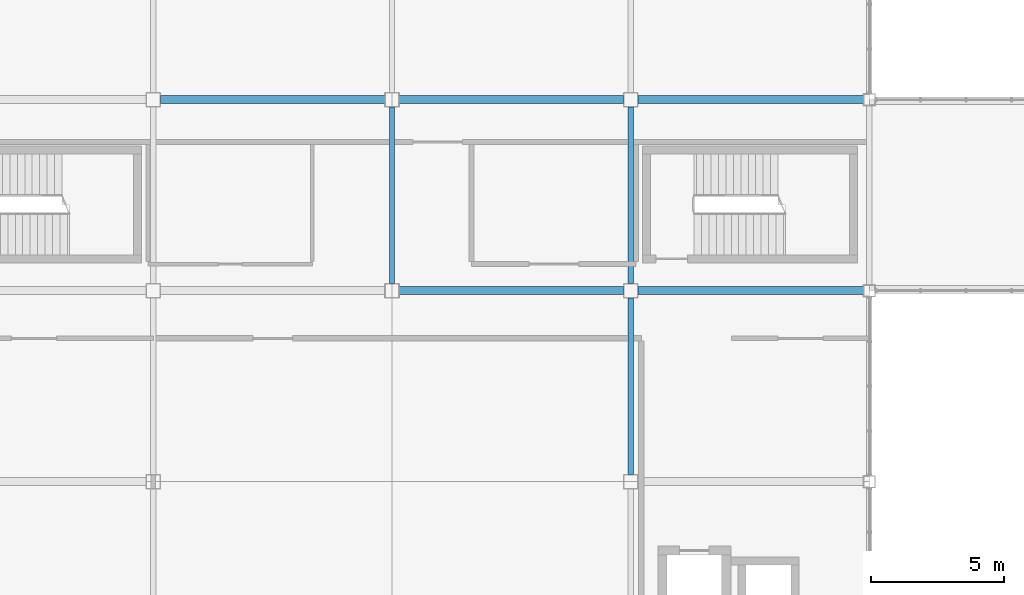
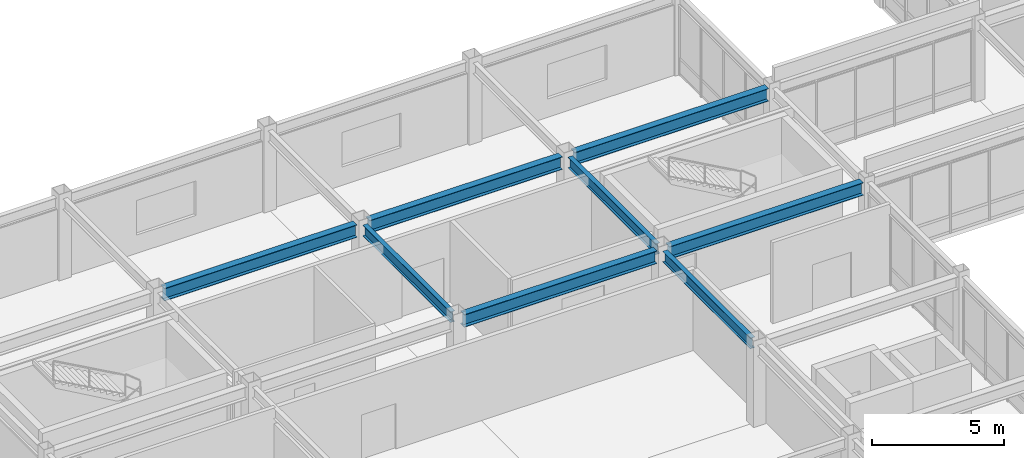
# One storey, part 16 of 122: 8 beams.
"""IFC4 building model written with IfcOpenShell, lengths in metres."""

from ifc_helpers import new_model, si_unit, direction, frame, origin, origin_2d, place, context, subcontext, project, spatial, i_section, extrude, material, material_profile, profile_set, type_object, element, save


model = new_model("IFC4")

# Units and contexts
model_context = context("Model", 3, precision=1e-05, world=origin(), true_north=direction((0.0, 1.0)))
body_context = subcontext(model_context, "Body", "Model", "MODEL_VIEW")
ifc_project = project(units=[si_unit("LENGTHUNIT", "METRE"), si_unit("AREAUNIT", "SQUARE_METRE"), si_unit("VOLUMEUNIT", "CUBIC_METRE"), si_unit("PLANEANGLEUNIT", "RADIAN"), si_unit("MASSUNIT", "GRAM", prefix="KILO")], contexts=[model_context])

# Site, building, storey
site_placement = place(None, origin())
site = spatial("IfcSite", under=ifc_project, at=site_placement, CompositionType="ELEMENT")
building_placement = place(site_placement, origin())
building = spatial("IfcBuilding", under=site, at=building_placement, Name="Kazanami Central Library", CompositionType="ELEMENT")
storey_placement = place(building_placement, frame((0.0, 0.0, 4.800048828125)))
storey = spatial("IfcBuildingStorey", under=building, at=storey_placement, Name="L02", CompositionType="ELEMENT", Elevation=4.800048828125)

# Beams
ifc_material = material(Name="Steel SN490B (325 MPa)", Category="steel")
ifc_material_profile_1 = material_profile(ifc_material, i_section(OverallWidth=0.300048828125, OverallDepth=0.587890625, WebThickness=0.011962890625, FlangeThickness=0.02001953125, at=origin_2d()), Name="H-588x300x12x20")
ifc_profile_set_1 = profile_set([ifc_material_profile_1], Name="Steel SN490B (325 MPa)")
beam_type_1 = type_object("IfcBeamType", Name="BM-G-X2", PredefinedType="BEAM", material=ifc_profile_set_1)
beam_1_placement = place(storey_placement, frame((18.27294921875, 21.60009765625, 3.4609375), z_axis=(1.0, 0.0, 0.0), x_axis=(0.0, 1.0, 0.0)))
element("IfcBeam", 1, at=beam_1_placement, inside=storey, type_object=beam_type_1, Name="Girder G-X2 L02 D/3-4", PredefinedType="BEAM", context=body_context, shape_type="SweptSolid", body=[
    extrude(i_section(OverallWidth=0.300048828125, OverallDepth=0.587890625, WebThickness=0.011962890625, FlangeThickness=0.02001953125, at=origin_2d()), origin(), (0.0, 0.0, 1.0), 8.4541015625),
])
beam_2_placement = place(storey_placement, frame((27.27294921875, 21.60009765625, 3.4609375), z_axis=(1.0, 0.0, 0.0), x_axis=(0.0, 1.0, 0.0)))
element("IfcBeam", 2, at=beam_2_placement, inside=storey, type_object=beam_type_1, Name="Girder G-X2 L02 D/4-5", PredefinedType="BEAM", context=body_context, shape_type="SweptSolid", body=[
    extrude(i_section(OverallWidth=0.300048828125, OverallDepth=0.587890625, WebThickness=0.011962890625, FlangeThickness=0.02001953125, at=origin_2d()), origin(), (0.0, 0.0, 1.0), 8.504150390625),
])
for number, where, z_axis, x_axis, name in (
    (3, (9.27294921875, 28.800048828125, 3.4609375), (1.0, 0.0, 0.0), (0.0, 1.0, 0.0), "Girder G-X2 L02 E/2-3"),
    (4, (18.27294921875, 28.800048828125, 3.4609375), (1.0, 0.0, 0.0), (0.0, 1.0, 0.0), "Girder G-X2 L02 E/3-4"),
):
    element("IfcBeam", number, at=place(storey_placement, frame(where, z_axis=z_axis, x_axis=x_axis)), inside=storey, type_object=beam_type_1, Name=name, PredefinedType="BEAM", context=body_context, shape_type="SweptSolid", body=[
        extrude(i_section(OverallWidth=0.300048828125, OverallDepth=0.587890625, WebThickness=0.011962890625, FlangeThickness=0.02001953125, at=origin_2d()), origin(), (0.0, 0.0, 1.0), 8.4541015625),
    ])
beam_3_placement = place(storey_placement, frame((27.27294921875, 28.800048828125, 3.4609375), z_axis=(1.0, 0.0, 0.0), x_axis=(0.0, 1.0, 0.0)))
element("IfcBeam", 5, at=beam_3_placement, inside=storey, type_object=beam_type_1, Name="Girder G-X2 L02 E/4-5", PredefinedType="BEAM", context=body_context, shape_type="SweptSolid", body=[
    extrude(i_section(OverallWidth=0.300048828125, OverallDepth=0.587890625, WebThickness=0.011962890625, FlangeThickness=0.02001953125, at=origin_2d()), origin(), (0.0, 0.0, 1.0), 8.504150390625),
])
ifc_material_profile_2 = material_profile(ifc_material, i_section(OverallWidth=0.199951171875, OverallDepth=0.5, WebThickness=0.010009765625, FlangeThickness=0.01611328125, at=origin_2d()), Name="H-500x200x10x16")
ifc_profile_set_2 = profile_set([ifc_material_profile_2], Name="Steel SN490B (325 MPa)")
beam_type_2 = type_object("IfcBeamType", Name="BM-G-Y2", PredefinedType="BEAM", material=ifc_profile_set_2)
for number, where, z_axis, x_axis, name in (
    (6, (18.0, 21.873046875, 3.5048828125), (0.0, 1.0, 0.0), (-1.0, 0.0, 0.0), "Girder G-Y2 L02 3/D-E"),
    (7, (27.0, 21.873046875, 3.5048828125), (0.0, 1.0, 0.0), (-1.0, 0.0, 0.0), "Girder G-Y2 L02 4/D-E"),
):
    element("IfcBeam", number, at=place(storey_placement, frame(where, z_axis=z_axis, x_axis=x_axis)), inside=storey, type_object=beam_type_2, Name=name, PredefinedType="BEAM", context=body_context, shape_type="SweptSolid", body=[
        extrude(i_section(OverallWidth=0.199951171875, OverallDepth=0.5, WebThickness=0.010009765625, FlangeThickness=0.01611328125, at=origin_2d()), origin(), (0.0, 0.0, 1.0), 6.654052734375),
    ])
ifc_material_profile_3 = material_profile(ifc_material, i_section(OverallWidth=0.199951171875, OverallDepth=0.5, WebThickness=0.010009765625, FlangeThickness=0.01611328125, at=origin_2d()), Name="H-500x200x10x16")
ifc_profile_set_3 = profile_set([ifc_material_profile_3], Name="Steel SN490B (325 MPa)")
beam_type_3 = type_object("IfcBeamType", Name="BM-SP-1", PredefinedType="SPANDREL", material=ifc_profile_set_3)
beam_4_placement = place(storey_placement, frame((27.0, 14.673095703125, 3.5048828125), z_axis=(0.0, 1.0, 0.0), x_axis=(-1.0, 0.0, 0.0)))
element("IfcBeam", 8, at=beam_4_placement, inside=storey, type_object=beam_type_3, Name="Girder SP-1 L02 4/C-D", PredefinedType="SPANDREL", context=body_context, shape_type="SweptSolid", body=[
    extrude(i_section(OverallWidth=0.199951171875, OverallDepth=0.5, WebThickness=0.010009765625, FlangeThickness=0.01611328125, at=origin_2d()), origin(), (0.0, 0.0, 1.0), 6.65380859375),
])

save(model, "model.ifc")
